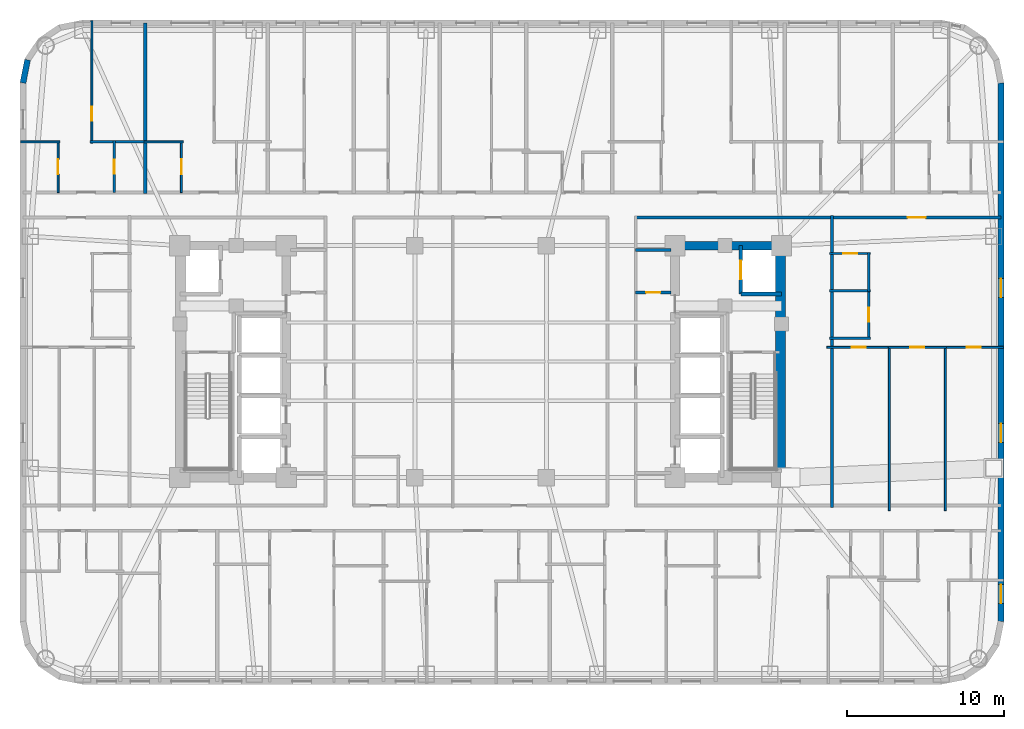
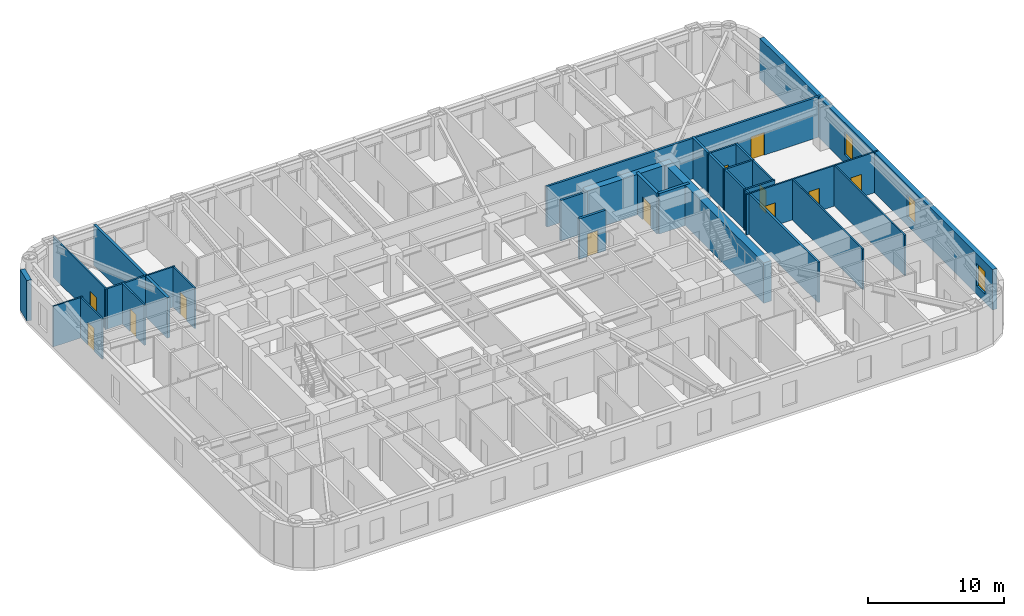
# One storey, part 7 of 12: 28 walls, 12 doors, 3 windows, 15 openings.
"""IFC4 building model written with IfcOpenShell, lengths in metres."""

from ifc_helpers import new_model, si_unit, direction, frame, frame_2d, origin, place, context, subcontext, project, spatial, rectangle, extrude, material, layer, layer_set, type_object, element, fill, save


model = new_model("IFC4")

# Units and contexts
model_context = context("Model", 3, precision=1e-05, world=origin(), true_north=direction((0.0, 1.0)))
body_context = subcontext(model_context, "Body", "Model", "MODEL_VIEW")
ifc_project = project(units=[si_unit("LENGTHUNIT", "METRE"), si_unit("AREAUNIT", "SQUARE_METRE"), si_unit("VOLUMEUNIT", "CUBIC_METRE"), si_unit("PLANEANGLEUNIT", "RADIAN"), si_unit("MASSUNIT", "GRAM", prefix="KILO")], contexts=[model_context])

# Site, building, storey
site_placement = place(None, origin())
site = spatial("IfcSite", under=ifc_project, at=site_placement, CompositionType="ELEMENT")
building_placement = place(site_placement, origin())
building = spatial("IfcBuilding", under=site, at=building_placement, Name="Voryun Gate Residences", CompositionType="ELEMENT")
storey_placement = place(building_placement, frame((0.0, 0.0, 132.60009765625)))
storey = spatial("IfcBuildingStorey", under=building, at=storey_placement, Name="L32", CompositionType="ELEMENT", Elevation=132.60009765625)

# Walls
ifc_material_1 = material(Name="Concrete C60/75", Category="concrete")
ifc_layer_1 = layer(ifc_material_1, 0.550048828125, Name="CW_CORE_550")
ifc_layer_set_1 = layer_set([ifc_layer_1], Name="Concrete C60/75")
wall_type_1 = type_object("IfcWallType", Name="CW_CORE_550", PredefinedType="SHEAR", material=ifc_layer_set_1)
wall_1_placement = place(storey_placement, frame((12.125, 7.39990234375, 0.0), z_axis=(0.0, 0.0, 1.0), x_axis=(1.0, 0.0, 0.0)))
element("IfcWall", 1, at=wall_1_placement, inside=storey, type_object=wall_type_1, Name="L32 Core shear wall CW-L32-EN", PredefinedType="SHEAR", context=body_context, shape_type="SweptSolid", body=[
    extrude(rectangle(XDim=7.35009765625, YDim=0.550048828125, at=frame_2d((3.675048828125, 0.0))), origin(), (0.0, 0.0, 1.0), 3.64990234375),
])
ifc_material_2 = material(Name="Concrete C60/75", Category="concrete")
ifc_layer_2 = layer(ifc_material_2, 0.64990234375, Name="CW_CORE_650")
ifc_layer_set_2 = layer_set([ifc_layer_2], Name="Concrete C60/75")
wall_type_2 = type_object("IfcWallType", Name="CW_CORE_650", PredefinedType="SHEAR", material=ifc_layer_set_2)
wall_2_placement = place(storey_placement, frame((19.14501953125, -7.39990234375, 0.0), z_axis=(0.0, 0.0, 1.0), x_axis=(0.0, 1.0, 0.0)))
element("IfcWall", 2, at=wall_2_placement, inside=storey, type_object=wall_type_2, Name="L32 Core shear wall CW-L32-EE", PredefinedType="SHEAR", context=body_context, shape_type="SweptSolid", body=[
    extrude(rectangle(XDim=14.7998046875, YDim=0.64990234375, at=frame_2d((7.39990234375, 0.0))), origin(), (0.0, 0.0, 1.0), 3.64990234375),
])
ifc_material_3 = material(Name="Gypsum acoustic fireboard")
ifc_layer_3 = layer(ifc_material_3, 0.179931640625, Name="W_CORR_RATED_180")
ifc_layer_set_3 = layer_set([ifc_layer_3], Name="Gypsum acoustic fireboard")
wall_type_3 = type_object("IfcWallType", Name="W_CORR_RATED_180", PredefinedType="PARTITIONING", material=ifc_layer_set_3)
wall_3_placement = place(storey_placement, frame((9.8798828125, 7.1201171875, 0.0), z_axis=(0.0, 0.0, 1.0), x_axis=(1.0, 0.0, 0.0)))
element("IfcWall", 3, at=wall_3_placement, inside=storey, type_object=wall_type_3, Name="Partition wall WP-L32-PLBN-E", PredefinedType="PARTITIONING", context=body_context, shape_type="SweptSolid", body=[
    extrude(rectangle(XDim=2.27001953125, YDim=0.179931640625, at=frame_2d((1.135009765625, 0.0))), origin(), (0.0, 0.0, 1.0), 3.64990234375),
])

# Wall, opening, door
wall_4_placement = place(storey_placement, frame((9.8798828125, 9.18994140625, 0.0), z_axis=(0.0, 0.0, 1.0), x_axis=(1.0, 0.0, 0.0)))
wall_4 = element("IfcWall", 4, at=wall_4_placement, inside=storey, type_object=wall_type_3, Name="Partition wall WP-L32-CWING-EN", PredefinedType="PARTITIONING", context=body_context, shape_type="SweptSolid", body=[
    extrude(rectangle(XDim=23.330078125, YDim=0.179931640625, at=frame_2d((11.6650390625, 0.0))), origin(), (0.0, 0.0, 1.0), 3.64990234375),
])
opening_1_placement = place(wall_4_placement, frame((17.36572265625, 0.0, 0.0)))
opening_1 = element("IfcOpeningElement", 5, at=opening_1_placement, cuts=wall_4, Name="Opening D-UNIT-1", PredefinedType="OPENING", context=body_context, shape_type="SweptSolid", body=[
    extrude(rectangle(XDim=1.14990234375, YDim=2.050048828125, at=frame_2d((0.574951171875, 1.02490234375))), frame((0.0, 0.099853515625, 0.0), z_axis=(0.0, -1.0, 0.0), x_axis=(1.0, 0.0, 0.0)), (0.0, 0.0, 1.0), 0.199951171875),
])
ifc_material_4 = material(Name="Armoured timber-clad fire door", Category="wood")
door_type_1 = type_object("IfcDoorType", Name="DR_UNIT_ENTRY_1150", OperationType="NOTDEFINED", PredefinedType="DOOR", material=ifc_material_4)
door_1_placement = place(opening_1_placement, origin())
door_1 = element("IfcDoor", 6, at=door_1_placement, inside=storey, type_object=door_type_1, Name="Door DR-L32-EE1N", OperationType="SINGLE_SWING_LEFT", OverallHeight=2.050048828125, OverallWidth=1.14990234375, PredefinedType="DOOR", context=body_context, shape_type="SweptSolid", body=[
    extrude(rectangle(XDim=1.14990234375, YDim=2.050048828125, at=frame_2d((0.574951171875, 1.02490234375))), frame((0.0, 0.02490234375, 0.0), z_axis=(0.0, -1.0, 0.0), x_axis=(1.0, 0.0, 0.0)), (0.0, 0.0, 1.0), 0.050048828125),
])
fill(opening_1, door_1)

# Walls
wall_5_placement = place(storey_placement, frame((22.419921875, -9.31005859375, 0.0), z_axis=(0.0, 0.0, 1.0), x_axis=(0.0, 1.0, 0.0)))
element("IfcWall", 7, at=wall_5_placement, inside=storey, type_object=wall_type_3, Name="Partition wall WP-L32-ECOR", PredefinedType="PARTITIONING", context=body_context, shape_type="SweptSolid", body=[
    extrude(rectangle(XDim=18.6201171875, YDim=0.179931640625, at=frame_2d((9.31005859375, 0.0))), origin(), (0.0, 0.0, 1.0), 3.64990234375),
])
ifc_material_5 = material(Name="Granite masonry", Category="masonry")
ifc_layer_4 = layer(ifc_material_5, 0.3798828125, Name="W_EXT_GRANITE_380")
ifc_layer_set_4 = layer_set([ifc_layer_4], Name="Granite masonry")
wall_type_4 = type_object("IfcWallType", Name="W_EXT_GRANITE_380", PredefinedType="ELEMENTEDWALL", material=ifc_layer_set_4)
wall_6_placement = place(storey_placement, frame((-29.2099609375, 17.78125, 0.0), z_axis=(0.0, 0.0, 1.0), x_axis=(0.195086038585, 0.980786132421, 0.0)))
element("IfcWall", 8, at=wall_6_placement, inside=storey, type_object=wall_type_4, Name="Exterior wall WEXT-L32-07", PredefinedType="ELEMENTEDWALL", context=body_context, shape_type="SweptSolid", body=[
    extrude(rectangle(XDim=1.504150390625, YDim=0.3798828125, at=frame_2d((0.751953125, 0.0))), origin(), (0.0, 0.0, 1.0), 3.64990234375),
])

# Wall, openings, windows
wall_7_placement = place(storey_placement, frame((33.2099609375, 17.78125, 0.0), z_axis=(0.0, 0.0, 1.0), x_axis=(0.0, -1.0, 0.0)))
wall_7 = element("IfcWall", 9, at=wall_7_placement, inside=storey, type_object=wall_type_4, Name="Exterior wall WEXT-L32-16", PredefinedType="ELEMENTEDWALL", context=body_context, shape_type="SweptSolid", body=[
    extrude(rectangle(XDim=34.362548828125, YDim=0.3798828125, at=frame_2d((17.18115234375, 0.0))), origin(), (0.0, 0.0, 1.0), 3.64990234375),
])
opening_2_placement = place(wall_7_placement, frame((32.00830078125, 0.0, 0.75)))
opening_2 = element("IfcOpeningElement", 10, at=opening_2_placement, cuts=wall_7, Name="Opening WN6", PredefinedType="OPENING", context=body_context, shape_type="SweptSolid", body=[
    extrude(rectangle(XDim=1.199951171875, YDim=2.050048828125, at=frame_2d((0.60009765625, 1.02490234375))), frame((0.0, 0.199951171875, 0.0), z_axis=(0.0, -1.0, 0.0), x_axis=(1.0, 0.0, 0.0)), (0.0, 0.0, 1.0), 0.39990234375),
])
opening_3_placement = place(wall_7_placement, frame((12.486328125, 0.0, 0.75)))
opening_3 = element("IfcOpeningElement", 11, at=opening_3_placement, cuts=wall_7, Name="Opening WN6", PredefinedType="OPENING", context=body_context, shape_type="SweptSolid", body=[
    extrude(rectangle(XDim=1.199951171875, YDim=2.050048828125, at=frame_2d((0.60009765625, 1.02490234375))), frame((0.0, 0.199951171875, 0.0), z_axis=(0.0, -1.0, 0.0), x_axis=(1.0, 0.0, 0.0)), (0.0, 0.0, 1.0), 0.39990234375),
])
opening_4_placement = place(wall_7_placement, frame((21.736328125, 0.0, 0.75)))
opening_4 = element("IfcOpeningElement", 12, at=opening_4_placement, cuts=wall_7, Name="Opening WN6", PredefinedType="OPENING", context=body_context, shape_type="SweptSolid", body=[
    extrude(rectangle(XDim=1.199951171875, YDim=2.050048828125, at=frame_2d((0.60009765625, 1.02490234375))), frame((0.0, 0.199951171875, 0.0), z_axis=(0.0, -1.0, 0.0), x_axis=(1.0, 0.0, 0.0)), (0.0, 0.0, 1.0), 0.39990234375),
])
ifc_material_6 = material(Name="Laminated low-E glass", Category="glass")
window_type = type_object("IfcWindowType", Name="WN_POD_SLOT_1200", PartitioningType="SINGLE_PANEL", PredefinedType="WINDOW", material=ifc_material_6)
window_1_placement = place(opening_2_placement, origin())
window_1 = element("IfcWindow", 13, at=window_1_placement, inside=storey, type_object=window_type, Name="Window WN-L32-DWFIX-29", OverallHeight=2.050048828125, OverallWidth=1.199951171875, PartitioningType="SINGLE_PANEL", PredefinedType="WINDOW", context=body_context, shape_type="SweptSolid", body=[
    extrude(rectangle(XDim=1.199951171875, YDim=2.050048828125, at=frame_2d((0.60009765625, 1.02490234375))), frame((0.0, 0.030029296875, 0.0), z_axis=(0.0, -1.0, 0.0), x_axis=(1.0, 0.0, 0.0)), (0.0, 0.0, 1.0), 0.06005859375),
])
fill(opening_2, window_1)
window_2_placement = place(opening_3_placement, origin())
window_2 = element("IfcWindow", 14, at=window_2_placement, inside=storey, type_object=window_type, Name="Window WN-L32-DWFIX-32", OverallHeight=2.050048828125, OverallWidth=1.199951171875, PartitioningType="SINGLE_PANEL", PredefinedType="WINDOW", context=body_context, shape_type="SweptSolid", body=[
    extrude(rectangle(XDim=1.199951171875, YDim=2.050048828125, at=frame_2d((0.60009765625, 1.02490234375))), frame((0.0, 0.030029296875, 0.0), z_axis=(0.0, -1.0, 0.0), x_axis=(1.0, 0.0, 0.0)), (0.0, 0.0, 1.0), 0.06005859375),
])
fill(opening_3, window_2)
window_3_placement = place(opening_4_placement, origin())
window_3 = element("IfcWindow", 15, at=window_3_placement, inside=storey, type_object=window_type, Name="Window WN-L32-DWFIX-33", OverallHeight=2.050048828125, OverallWidth=1.199951171875, PartitioningType="SINGLE_PANEL", PredefinedType="WINDOW", context=body_context, shape_type="SweptSolid", body=[
    extrude(rectangle(XDim=1.199951171875, YDim=2.050048828125, at=frame_2d((0.60009765625, 1.02490234375))), frame((0.0, 0.030029296875, 0.0), z_axis=(0.0, -1.0, 0.0), x_axis=(1.0, 0.0, 0.0)), (0.0, 0.0, 1.0), 0.06005859375),
])
fill(opening_4, window_3)

# Wall, opening, door
ifc_material_7 = material(Name="Concrete C40/50", Category="concrete")
ifc_layer_5 = layer(ifc_material_7, 0.199951171875, Name="W_FF_LOBBY_200")
ifc_layer_set_5 = layer_set([ifc_layer_5], Name="Concrete C40/50")
wall_type_5 = type_object("IfcWallType", Name="W_FF_LOBBY_200", PredefinedType="PARTITIONING", material=ifc_layer_set_5)
wall_8_placement = place(storey_placement, frame((9.8798828125, 4.409912109375, 0.0), z_axis=(0.0, 0.0, 1.0), x_axis=(1.0, 0.0, 0.0)))
wall_8 = element("IfcWall", 16, at=wall_8_placement, inside=storey, type_object=wall_type_5, Name="Partition wall WP-L32-CSFLKS-E", PredefinedType="PARTITIONING", context=body_context, shape_type="SweptSolid", body=[
    extrude(rectangle(XDim=2.27001953125, YDim=0.199951171875, at=frame_2d((1.135009765625, 0.0))), origin(), (0.0, 0.0, 1.0), 3.64990234375),
])
opening_5_placement = place(wall_8_placement, frame((0.68505859375, 0.0, 0.0)))
opening_5 = element("IfcOpeningElement", 17, at=opening_5_placement, cuts=wall_8, Name="Opening D-FD60-4", PredefinedType="OPENING", context=body_context, shape_type="SweptSolid", body=[
    extrude(rectangle(XDim=0.89990234375, YDim=2.050048828125, at=frame_2d((0.449951171875, 1.02490234375))), frame((0.0, 0.110107421875, 0.0), z_axis=(0.0, -1.0, 0.0), x_axis=(1.0, 0.0, 0.0)), (0.0, 0.0, 1.0), 0.219970703125),
])
ifc_material_8 = material(Name="Painted steel fire door", Category="steel")
door_type_2 = type_object("IfcDoorType", Name="DR_FD60_RISER_900", OperationType="NOTDEFINED", PredefinedType="DOOR", material=ifc_material_8)
door_2_placement = place(opening_5_placement, origin())
door_2 = element("IfcDoor", 18, at=door_2_placement, inside=storey, type_object=door_type_2, Name="Door DR-L32-CSFLK-E", OperationType="SINGLE_SWING_RIGHT", OverallHeight=2.050048828125, OverallWidth=0.89990234375, PredefinedType="DOOR", context=body_context, shape_type="SweptSolid", body=[
    extrude(rectangle(XDim=0.89990234375, YDim=2.050048828125, at=frame_2d((0.449951171875, 1.02490234375))), frame((0.0, 0.02490234375, 0.0), z_axis=(0.0, -1.0, 0.0), x_axis=(1.0, 0.0, 0.0)), (0.0, 0.0, 1.0), 0.050048828125),
])
fill(opening_5, door_2)

# Walls
ifc_material_9 = material(Name="Concrete C40/50", Category="concrete")
ifc_layer_6 = layer(ifc_material_9, 0.219970703125, Name="W_PARTY_ACOUSTIC_220")
ifc_layer_set_6 = layer_set([ifc_layer_6], Name="Concrete C40/50")
wall_type_6 = type_object("IfcWallType", Name="W_PARTY_ACOUSTIC_220", PredefinedType="PARTITIONING", material=ifc_layer_set_6)
wall_9_placement = place(storey_placement, frame((-21.408935546875, 10.719970703125, 0.0), z_axis=(0.0, 0.0, 1.0), x_axis=(0.0, 1.0, 0.0)))
element("IfcWall", 19, at=wall_9_placement, inside=storey, type_object=wall_type_6, Name="Partition wall WP-L32-NPTY-1", PredefinedType="PARTITIONING", context=body_context, shape_type="SweptSolid", body=[
    extrude(rectangle(XDim=10.89013671875, YDim=0.219970703125, at=frame_2d((5.445068359375, 0.0))), origin(), (0.0, 0.0, 1.0), 3.64990234375),
])
ifc_material_10 = material(Name="Concrete C50/60", Category="concrete")
ifc_layer_7 = layer(ifc_material_10, 0.25, Name="W_SHAFT_RC250")
ifc_layer_set_7 = layer_set([ifc_layer_7], Name="Concrete C50/60")
wall_type_7 = type_object("IfcWallType", Name="W_SHAFT_RC250", PredefinedType="SOLIDWALL", material=ifc_layer_set_7)
wall_10_placement = place(storey_placement, frame((16.60009765625, 4.300048828125, 0.0), z_axis=(0.0, 0.0, 1.0), x_axis=(1.0, 0.0, 0.0)))
element("IfcWall", 20, at=wall_10_placement, inside=storey, type_object=wall_type_7, Name="Lift shaft wall WSH-L32-EL-FF-E1-S", PredefinedType="SOLIDWALL", context=body_context, shape_type="SweptSolid", body=[
    extrude(rectangle(XDim=2.599853515625, YDim=0.25, at=frame_2d((1.2998046875, 0.0))), origin(), (0.0, 0.0, 1.0), 3.64990234375),
])

# Wall, opening, door
wall_11_placement = place(storey_placement, frame((16.60009765625, 7.39990234375, 0.0), z_axis=(0.0, 0.0, 1.0), x_axis=(0.0, -1.0, 0.0)))
wall_11 = element("IfcWall", 21, at=wall_11_placement, inside=storey, type_object=wall_type_7, Name="Lift shaft wall WSH-L32-EL-FF-E1-W", PredefinedType="SOLIDWALL", context=body_context, shape_type="SweptSolid", body=[
    extrude(rectangle(XDim=3.099853515625, YDim=0.25, at=frame_2d((1.5498046875, 0.0))), origin(), (0.0, 0.0, 1.0), 3.64990234375),
])
opening_6_placement = place(wall_11_placement, frame((0.949951171875, 0.0, 0.0)))
opening_6 = element("IfcOpeningElement", 22, at=opening_6_placement, cuts=wall_11, Name="Opening LD1", PredefinedType="OPENING", context=body_context, shape_type="SweptSolid", body=[
    extrude(rectangle(XDim=1.199951171875, YDim=2.050048828125, at=frame_2d((0.60009765625, 1.02490234375))), frame((0.0, 0.135009765625, 0.0), z_axis=(0.0, -1.0, 0.0), x_axis=(1.0, 0.0, 0.0)), (0.0, 0.0, 1.0), 0.27001953125),
])
ifc_material_11 = material(Name="Anodised aluminium", Category="aluminium")
door_type_3 = type_object("IfcDoorType", Name="DR_LD_FF_1200", OperationType="NOTDEFINED", PredefinedType="DOOR", material=ifc_material_11)
door_3_placement = place(opening_6_placement, origin())
door_3 = element("IfcDoor", 23, at=door_3_placement, inside=storey, type_object=door_type_3, Name="Lift EL-FF-E1 sliding landing door L32", OperationType="SLIDING_TO_LEFT", OverallHeight=2.050048828125, OverallWidth=1.199951171875, PredefinedType="DOOR", context=body_context, shape_type="SweptSolid", body=[
    extrude(rectangle(XDim=1.199951171875, YDim=2.050048828125, at=frame_2d((0.60009765625, 1.02490234375))), frame((0.0, 0.02490234375, 0.0), z_axis=(0.0, -1.0, 0.0), x_axis=(1.0, 0.0, 0.0)), (0.0, 0.0, 1.0), 0.050048828125),
])
fill(opening_6, door_3)

ifc_material_12 = material(Name="Gypsum acoustic partition")
ifc_layer_8 = layer(ifc_material_12, 0.125, Name="W_UNIT_PART_125")
ifc_layer_set_8 = layer_set([ifc_layer_8], Name="Gypsum acoustic partition")
wall_type_8 = type_object("IfcWallType", Name="W_UNIT_PART_125", PredefinedType="PARTITIONING", material=ifc_layer_set_8)
wall_12_placement = place(storey_placement, frame((-24.819091796875, 13.93994140625, 0.0), z_axis=(0.0, 0.0, 1.0), x_axis=(0.0, 1.0, 0.0)))
wall_12 = element("IfcWall", 24, at=wall_12_placement, inside=storey, type_object=wall_type_8, Name="Partition wall WP-L32-N1-OVR", PredefinedType="PARTITIONING", context=body_context, shape_type="SweptSolid", body=[
    extrude(rectangle(XDim=7.820068359375, YDim=0.125, at=frame_2d((3.91015625, 0.0))), origin(), (0.0, 0.0, 1.0), 3.64990234375),
])
opening_7_placement = place(wall_12_placement, frame((1.4267578125, 0.0, 0.0)))
opening_7 = element("IfcOpeningElement", 25, at=opening_7_placement, cuts=wall_12, Name="Opening D-INT-2", PredefinedType="OPENING", context=body_context, shape_type="SweptSolid", body=[
    extrude(rectangle(XDim=0.89990234375, YDim=2.050048828125, at=frame_2d((0.449951171875, 1.02490234375))), frame((0.0, 0.072509765625, 0.0), z_axis=(0.0, -1.0, 0.0), x_axis=(1.0, 0.0, 0.0)), (0.0, 0.0, 1.0), 0.14501953125),
])
ifc_material_13 = material(Name="Architectural oak veneer")
door_type_4 = type_object("IfcDoorType", Name="DR_INT_BATH_900", OperationType="NOTDEFINED", PredefinedType="DOOR", material=ifc_material_13)
door_4_placement = place(opening_7_placement, origin())
door_4 = element("IfcDoor", 26, at=door_4_placement, inside=storey, type_object=door_type_4, Name="Door DR-L32-N1-DMB", OperationType="SINGLE_SWING_RIGHT", OverallHeight=2.050048828125, OverallWidth=0.89990234375, PredefinedType="DOOR", context=body_context, shape_type="SweptSolid", body=[
    extrude(rectangle(XDim=0.89990234375, YDim=2.050048828125, at=frame_2d((0.449951171875, 1.02490234375))), frame((0.0, 0.02490234375, 0.0), z_axis=(0.0, -1.0, 0.0), x_axis=(1.0, 0.0, 0.0)), (0.0, 0.0, 1.0), 0.050048828125),
])
fill(opening_7, door_4)

wall_13_placement = place(storey_placement, frame((-26.968017578125, 10.780029296875, 0.0), z_axis=(0.0, 0.0, 1.0), x_axis=(0.0, 1.0, 0.0)))
wall_13 = element("IfcWall", 27, at=wall_13_placement, inside=storey, type_object=wall_type_8, Name="Partition wall WP-L32-N1-IVK", PredefinedType="PARTITIONING", context=body_context, shape_type="SweptSolid", body=[
    extrude(rectangle(XDim=3.320068359375, YDim=0.125, at=frame_2d((1.66015625, 0.0))), origin(), (0.0, 0.0, 1.0), 3.64990234375),
])
opening_8_placement = place(wall_13_placement, frame((1.18505859375, 0.0, 0.0)))
opening_8 = element("IfcOpeningElement", 28, at=opening_8_placement, cuts=wall_13, Name="Opening D-INT-1", PredefinedType="OPENING", context=body_context, shape_type="SweptSolid", body=[
    extrude(rectangle(XDim=0.949951171875, YDim=2.050048828125, at=frame_2d((0.47509765625, 1.02490234375))), frame((0.0, 0.072509765625, 0.0), z_axis=(0.0, -1.0, 0.0), x_axis=(1.0, 0.0, 0.0)), (0.0, 0.0, 1.0), 0.14501953125),
])
ifc_material_14 = material(Name="Architectural oak veneer")
door_type_5 = type_object("IfcDoorType", Name="DR_INT_ROOM_950", OperationType="NOTDEFINED", PredefinedType="DOOR", material=ifc_material_14)
door_5_placement = place(opening_8_placement, origin())
door_5 = element("IfcDoor", 29, at=door_5_placement, inside=storey, type_object=door_type_5, Name="Door DR-L32-N1-DK", OperationType="SINGLE_SWING_LEFT", OverallHeight=2.050048828125, OverallWidth=0.949951171875, PredefinedType="DOOR", context=body_context, shape_type="SweptSolid", body=[
    extrude(rectangle(XDim=0.949951171875, YDim=2.050048828125, at=frame_2d((0.47509765625, 1.02490234375))), frame((0.0, 0.02490234375, 0.0), z_axis=(0.0, -1.0, 0.0), x_axis=(1.0, 0.0, 0.0)), (0.0, 0.0, 1.0), 0.050048828125),
])
fill(opening_8, door_5)

# Wall
wall_14_placement = place(storey_placement, frame((-29.360107421875, 14.02001953125, 0.0), z_axis=(0.0, 0.0, 1.0), x_axis=(1.0, 0.0, 0.0)))
element("IfcWall", 30, at=wall_14_placement, inside=storey, type_object=wall_type_8, Name="Partition wall WP-L32-N1-HZK", PredefinedType="PARTITIONING", context=body_context, shape_type="SweptSolid", body=[
    extrude(rectangle(XDim=2.51220703125, YDim=0.125, at=frame_2d((1.256103515625, 0.0))), origin(), (0.0, 0.0, 1.0), 3.64990234375),
])

# Wall, opening, door
wall_15_placement = place(storey_placement, frame((-19.09912109375, 10.780029296875, 0.0), z_axis=(0.0, 0.0, 1.0), x_axis=(0.0, 1.0, 0.0)))
wall_15 = element("IfcWall", 31, at=wall_15_placement, inside=storey, type_object=wall_type_8, Name="Partition wall WP-L32-N2-IVK", PredefinedType="PARTITIONING", context=body_context, shape_type="SweptSolid", body=[
    extrude(rectangle(XDim=3.320068359375, YDim=0.125, at=frame_2d((1.66015625, 0.0))), origin(), (0.0, 0.0, 1.0), 3.64990234375),
])
opening_9_placement = place(wall_15_placement, frame((1.18505859375, 0.0, 0.0)))
opening_9 = element("IfcOpeningElement", 32, at=opening_9_placement, cuts=wall_15, Name="Opening D-INT-1", PredefinedType="OPENING", context=body_context, shape_type="SweptSolid", body=[
    extrude(rectangle(XDim=0.949951171875, YDim=2.050048828125, at=frame_2d((0.47509765625, 1.02490234375))), frame((0.0, 0.072509765625, 0.0), z_axis=(0.0, -1.0, 0.0), x_axis=(1.0, 0.0, 0.0)), (0.0, 0.0, 1.0), 0.14501953125),
])
door_6_placement = place(opening_9_placement, origin())
door_6 = element("IfcDoor", 33, at=door_6_placement, inside=storey, type_object=door_type_5, Name="Door DR-L32-N2-DK", OperationType="SINGLE_SWING_LEFT", OverallHeight=2.050048828125, OverallWidth=0.949951171875, PredefinedType="DOOR", context=body_context, shape_type="SweptSolid", body=[
    extrude(rectangle(XDim=0.949951171875, YDim=2.050048828125, at=frame_2d((0.47509765625, 1.02490234375))), frame((0.0, 0.02490234375, 0.0), z_axis=(0.0, -1.0, 0.0), x_axis=(1.0, 0.0, 0.0)), (0.0, 0.0, 1.0), 0.050048828125),
])
fill(opening_9, door_6)

# Wall
wall_16_placement = place(storey_placement, frame((-21.48388671875, 14.02001953125, 0.0), z_axis=(0.0, 0.0, 1.0), x_axis=(1.0, 0.0, 0.0)))
element("IfcWall", 34, at=wall_16_placement, inside=storey, type_object=wall_type_8, Name="Partition wall WP-L32-N2-HZK", PredefinedType="PARTITIONING", context=body_context, shape_type="SweptSolid", body=[
    extrude(rectangle(XDim=2.5048828125, YDim=0.125, at=frame_2d((1.25244140625, 0.0))), origin(), (0.0, 0.0, 1.0), 3.64990234375),
])

# Wall, opening, door
wall_17_placement = place(storey_placement, frame((22.10009765625, 0.909912109375, 0.0), z_axis=(0.0, 0.0, 1.0), x_axis=(1.0, 0.0, 0.0)))
wall_17 = element("IfcWall", 35, at=wall_17_placement, inside=storey, type_object=wall_type_8, Name="Partition wall WP-L32-E1-HZMB1", PredefinedType="PARTITIONING", context=body_context, shape_type="SweptSolid", body=[
    extrude(rectangle(XDim=4.053466796875, YDim=0.125, at=frame_2d((2.02685546875, 0.0))), origin(), (0.0, 0.0, 1.0), 3.64990234375),
])
opening_10_placement = place(wall_17_placement, frame((1.58544921875, 0.0, 0.0)))
opening_10 = element("IfcOpeningElement", 36, at=opening_10_placement, cuts=wall_17, Name="Opening D-INT-2", PredefinedType="OPENING", context=body_context, shape_type="SweptSolid", body=[
    extrude(rectangle(XDim=0.89990234375, YDim=2.050048828125, at=frame_2d((0.449951171875, 1.02490234375))), frame((0.0, 0.072509765625, 0.0), z_axis=(0.0, -1.0, 0.0), x_axis=(1.0, 0.0, 0.0)), (0.0, 0.0, 1.0), 0.14501953125),
])
door_7_placement = place(opening_10_placement, origin())
door_7 = element("IfcDoor", 37, at=door_7_placement, inside=storey, type_object=door_type_4, Name="Door DR-L32-E1-DMB", OperationType="SINGLE_SWING_LEFT", OverallHeight=2.050048828125, OverallWidth=0.89990234375, PredefinedType="DOOR", context=body_context, shape_type="SweptSolid", body=[
    extrude(rectangle(XDim=0.89990234375, YDim=2.050048828125, at=frame_2d((0.449951171875, 1.02490234375))), frame((0.0, 0.02490234375, 0.0), z_axis=(0.0, -1.0, 0.0), x_axis=(1.0, 0.0, 0.0)), (0.0, 0.0, 1.0), 0.050048828125),
])
fill(opening_10, door_7)

wall_18_placement = place(storey_placement, frame((26.028564453125, 0.909912109375, 0.0), z_axis=(0.0, 0.0, 1.0), x_axis=(1.0, 0.0, 0.0)))
wall_18 = element("IfcWall", 38, at=wall_18_placement, inside=storey, type_object=wall_type_8, Name="Partition wall WP-L32-E1-HZMB2", PredefinedType="PARTITIONING", context=body_context, shape_type="SweptSolid", body=[
    extrude(rectangle(XDim=3.68798828125, YDim=0.125, at=frame_2d((1.843994140625, 0.0))), origin(), (0.0, 0.0, 1.0), 3.64990234375),
])
opening_11_placement = place(wall_18_placement, frame((1.39404296875, 0.0, 0.0)))
opening_11 = element("IfcOpeningElement", 39, at=opening_11_placement, cuts=wall_18, Name="Opening D-INT-2", PredefinedType="OPENING", context=body_context, shape_type="SweptSolid", body=[
    extrude(rectangle(XDim=0.89990234375, YDim=2.050048828125, at=frame_2d((0.449951171875, 1.02490234375))), frame((0.0, 0.072509765625, 0.0), z_axis=(0.0, -1.0, 0.0), x_axis=(1.0, 0.0, 0.0)), (0.0, 0.0, 1.0), 0.14501953125),
])
door_8_placement = place(opening_11_placement, origin())
door_8 = element("IfcDoor", 40, at=door_8_placement, inside=storey, type_object=door_type_4, Name="Door DR-L32-E1-DBD2", OperationType="SINGLE_SWING_RIGHT", OverallHeight=2.050048828125, OverallWidth=0.89990234375, PredefinedType="DOOR", context=body_context, shape_type="SweptSolid", body=[
    extrude(rectangle(XDim=0.89990234375, YDim=2.050048828125, at=frame_2d((0.449951171875, 1.02490234375))), frame((0.0, 0.02490234375, 0.0), z_axis=(0.0, -1.0, 0.0), x_axis=(1.0, 0.0, 0.0)), (0.0, 0.0, 1.0), 0.050048828125),
])
fill(opening_11, door_8)

wall_19_placement = place(storey_placement, frame((29.591552734375, 0.909912109375, 0.0), z_axis=(0.0, 0.0, 1.0), x_axis=(1.0, 0.0, 0.0)))
wall_19 = element("IfcWall", 41, at=wall_19_placement, inside=storey, type_object=wall_type_8, Name="Partition wall WP-L32-E1-HZMB3", PredefinedType="PARTITIONING", context=body_context, shape_type="SweptSolid", body=[
    extrude(rectangle(XDim=3.7685546875, YDim=0.125, at=frame_2d((1.88427734375, 0.0))), origin(), (0.0, 0.0, 1.0), 3.64990234375),
])
opening_12_placement = place(wall_19_placement, frame((1.425537109375, 0.0, 0.0)))
opening_12 = element("IfcOpeningElement", 42, at=opening_12_placement, cuts=wall_19, Name="Opening D-INT-2", PredefinedType="OPENING", context=body_context, shape_type="SweptSolid", body=[
    extrude(rectangle(XDim=0.89990234375, YDim=2.050048828125, at=frame_2d((0.449951171875, 1.02490234375))), frame((0.0, 0.072509765625, 0.0), z_axis=(0.0, -1.0, 0.0), x_axis=(1.0, 0.0, 0.0)), (0.0, 0.0, 1.0), 0.14501953125),
])
door_9_placement = place(opening_12_placement, origin())
door_9 = element("IfcDoor", 43, at=door_9_placement, inside=storey, type_object=door_type_4, Name="Door DR-L32-E1-DBD3", OperationType="SINGLE_SWING_LEFT", OverallHeight=2.050048828125, OverallWidth=0.89990234375, PredefinedType="DOOR", context=body_context, shape_type="SweptSolid", body=[
    extrude(rectangle(XDim=0.89990234375, YDim=2.050048828125, at=frame_2d((0.449951171875, 1.02490234375))), frame((0.0, 0.02490234375, 0.0), z_axis=(0.0, -1.0, 0.0), x_axis=(1.0, 0.0, 0.0)), (0.0, 0.0, 1.0), 0.050048828125),
])
fill(opening_12, door_9)

# Walls
for number, where, z_axis, x_axis, name in (
    (44, (29.654052734375, -9.510009765625, 0.0), (0.0, 0.0, 1.0), (0.0, 1.0, 0.0), "Partition wall WP-L32-E1-VMB2"),
    (45, (26.091064453125, -9.510009765625, 0.0), (0.0, 0.0, 1.0), (0.0, 1.0, 0.0), "Partition wall WP-L32-E1-VMB"),
):
    element("IfcWall", number, at=place(storey_placement, frame(where, z_axis=z_axis, x_axis=x_axis)), inside=storey, type_object=wall_type_8, Name=name, PredefinedType="PARTITIONING", context=body_context, shape_type="SweptSolid", body=[
        extrude(rectangle(XDim=10.47998046875, YDim=0.125, at=frame_2d((5.239990234375, 0.0))), origin(), (0.0, 0.0, 1.0), 3.64990234375),
    ])
ifc_material_15 = material(Name="Gypsum moisture-resistant partition")
ifc_layer_9 = layer(ifc_material_15, 0.14990234375, Name="W_WET_PLUMB_150")
ifc_layer_set_9 = layer_set([ifc_layer_9], Name="Gypsum moisture-resistant partition")
wall_type_9 = type_object("IfcWallType", Name="W_WET_PLUMB_150", PredefinedType="PLUMBINGWALL", material=ifc_layer_set_9)
wall_20_placement = place(storey_placement, frame((-24.93896484375, 14.02001953125, 0.0), z_axis=(0.0, 0.0, 1.0), x_axis=(1.0, 0.0, 0.0)))
element("IfcWall", 46, at=wall_20_placement, inside=storey, type_object=wall_type_9, Name="Partition wall WP-L32-N1-HZB", PredefinedType="PLUMBINGWALL", context=body_context, shape_type="SweptSolid", body=[
    extrude(rectangle(XDim=3.60498046875, YDim=0.14990234375, at=frame_2d((1.802490234375, 0.0))), origin(), (0.0, 0.0, 1.0), 3.64990234375),
])

# Wall, opening, door
wall_21_placement = place(storey_placement, frame((-23.388916015625, 10.780029296875, 0.0), z_axis=(0.0, 0.0, 1.0), x_axis=(0.0, 1.0, 0.0)))
wall_21 = element("IfcWall", 47, at=wall_21_placement, inside=storey, type_object=wall_type_9, Name="Partition wall WP-L32-N1-IVB", PredefinedType="PLUMBINGWALL", context=body_context, shape_type="SweptSolid", body=[
    extrude(rectangle(XDim=3.320068359375, YDim=0.14990234375, at=frame_2d((1.66015625, 0.0))), origin(), (0.0, 0.0, 1.0), 3.64990234375),
])
opening_13_placement = place(wall_21_placement, frame((1.2099609375, 0.0, 0.0)))
opening_13 = element("IfcOpeningElement", 48, at=opening_13_placement, cuts=wall_21, Name="Opening D-INT-2", PredefinedType="OPENING", context=body_context, shape_type="SweptSolid", body=[
    extrude(rectangle(XDim=0.89990234375, YDim=2.050048828125, at=frame_2d((0.449951171875, 1.02490234375))), frame((0.0, 0.0849609375, 0.0), z_axis=(0.0, -1.0, 0.0), x_axis=(1.0, 0.0, 0.0)), (0.0, 0.0, 1.0), 0.169921875),
])
door_10_placement = place(opening_13_placement, origin())
door_10 = element("IfcDoor", 49, at=door_10_placement, inside=storey, type_object=door_type_4, Name="Door DR-L32-N1-DB", OperationType="SINGLE_SWING_RIGHT", OverallHeight=2.050048828125, OverallWidth=0.89990234375, PredefinedType="DOOR", context=body_context, shape_type="SweptSolid", body=[
    extrude(rectangle(XDim=0.89990234375, YDim=2.050048828125, at=frame_2d((0.449951171875, 1.02490234375))), frame((0.0, 0.02490234375, 0.0), z_axis=(0.0, -1.0, 0.0), x_axis=(1.0, 0.0, 0.0)), (0.0, 0.0, 1.0), 0.050048828125),
])
fill(opening_13, door_10)

wall_22_placement = place(storey_placement, frame((22.27001953125, 6.89990234375, 0.0), z_axis=(0.0, 0.0, 1.0), x_axis=(1.0, 0.0, 0.0)))
wall_22 = element("IfcWall", 50, at=wall_22_placement, inside=storey, type_object=wall_type_9, Name="Partition wall WP-L32-E1-IBT", PredefinedType="PLUMBINGWALL", context=body_context, shape_type="SweptSolid", body=[
    extrude(rectangle(XDim=2.619873046875, YDim=0.14990234375, at=frame_2d((1.31005859375, 0.0))), origin(), (0.0, 0.0, 1.0), 3.64990234375),
])
opening_14_placement = place(wall_22_placement, frame((0.860107421875, 0.0, 0.0)))
opening_14 = element("IfcOpeningElement", 51, at=opening_14_placement, cuts=wall_22, Name="Opening D-INT-2", PredefinedType="OPENING", context=body_context, shape_type="SweptSolid", body=[
    extrude(rectangle(XDim=0.89990234375, YDim=2.050048828125, at=frame_2d((0.449951171875, 1.02490234375))), frame((0.0, 0.0849609375, 0.0), z_axis=(0.0, -1.0, 0.0), x_axis=(1.0, 0.0, 0.0)), (0.0, 0.0, 1.0), 0.169921875),
])
door_11_placement = place(opening_14_placement, origin())
door_11 = element("IfcDoor", 52, at=door_11_placement, inside=storey, type_object=door_type_4, Name="Door DR-L32-E1-DK", OperationType="SINGLE_SWING_LEFT", OverallHeight=2.050048828125, OverallWidth=0.89990234375, PredefinedType="DOOR", context=body_context, shape_type="SweptSolid", body=[
    extrude(rectangle(XDim=0.89990234375, YDim=2.050048828125, at=frame_2d((0.449951171875, 1.02490234375))), frame((0.0, 0.02490234375, 0.0), z_axis=(0.0, -1.0, 0.0), x_axis=(1.0, 0.0, 0.0)), (0.0, 0.0, 1.0), 0.050048828125),
])
fill(opening_14, door_11)

# Walls
for number, where, z_axis, x_axis, name in (
    (53, (22.27001953125, 4.52001953125, 0.0), (0.0, 0.0, 1.0), (1.0, 0.0, 0.0), "Partition wall WP-L32-E1-IKB"),
    (54, (22.27001953125, 1.5, 0.0), (0.0, 0.0, 1.0), (1.0, 0.0, 0.0), "Partition wall WP-L32-E1-IBB"),
):
    element("IfcWall", number, at=place(storey_placement, frame(where, z_axis=z_axis, x_axis=x_axis)), inside=storey, type_object=wall_type_9, Name=name, PredefinedType="PLUMBINGWALL", context=body_context, shape_type="SweptSolid", body=[
        extrude(rectangle(XDim=2.619873046875, YDim=0.14990234375, at=frame_2d((1.31005859375, 0.0))), origin(), (0.0, 0.0, 1.0), 3.64990234375),
    ])

# Wall, opening, door
wall_23_placement = place(storey_placement, frame((24.77001953125, 1.43994140625, 0.0), z_axis=(0.0, 0.0, 1.0), x_axis=(0.0, 1.0, 0.0)))
wall_23 = element("IfcWall", 55, at=wall_23_placement, inside=storey, type_object=wall_type_9, Name="Partition wall WP-L32-E1-VTSK1", PredefinedType="PLUMBINGWALL", context=body_context, shape_type="SweptSolid", body=[
    extrude(rectangle(XDim=3.1201171875, YDim=0.14990234375, at=frame_2d((1.56005859375, 0.0))), origin(), (0.0, 0.0, 1.0), 3.64990234375),
])
opening_15_placement = place(wall_23_placement, frame((1.110107421875, 0.0, 0.0)))
opening_15 = element("IfcOpeningElement", 56, at=opening_15_placement, cuts=wall_23, Name="Opening D-INT-2", PredefinedType="OPENING", context=body_context, shape_type="SweptSolid", body=[
    extrude(rectangle(XDim=0.89990234375, YDim=2.050048828125, at=frame_2d((0.449951171875, 1.02490234375))), frame((0.0, 0.0849609375, 0.0), z_axis=(0.0, -1.0, 0.0), x_axis=(1.0, 0.0, 0.0)), (0.0, 0.0, 1.0), 0.169921875),
])
door_12_placement = place(opening_15_placement, origin())
door_12 = element("IfcDoor", 57, at=door_12_placement, inside=storey, type_object=door_type_4, Name="Door DR-L32-E1-DB", OperationType="SINGLE_SWING_RIGHT", OverallHeight=2.050048828125, OverallWidth=0.89990234375, PredefinedType="DOOR", context=body_context, shape_type="SweptSolid", body=[
    extrude(rectangle(XDim=0.89990234375, YDim=2.050048828125, at=frame_2d((0.449951171875, 1.02490234375))), frame((0.0, 0.02490234375, 0.0), z_axis=(0.0, -1.0, 0.0), x_axis=(1.0, 0.0, 0.0)), (0.0, 0.0, 1.0), 0.050048828125),
])
fill(opening_15, door_12)

# Wall
wall_24_placement = place(storey_placement, frame((24.77001953125, 4.47998046875, 0.0), z_axis=(0.0, 0.0, 1.0), x_axis=(0.0, 1.0, 0.0)))
element("IfcWall", 58, at=wall_24_placement, inside=storey, type_object=wall_type_9, Name="Partition wall WP-L32-E1-VTSK2", PredefinedType="PLUMBINGWALL", context=body_context, shape_type="SweptSolid", body=[
    extrude(rectangle(XDim=2.47998046875, YDim=0.14990234375, at=frame_2d((1.239990234375, 0.0))), origin(), (0.0, 0.0, 1.0), 3.64990234375),
])

save(model, "model.ifc")
